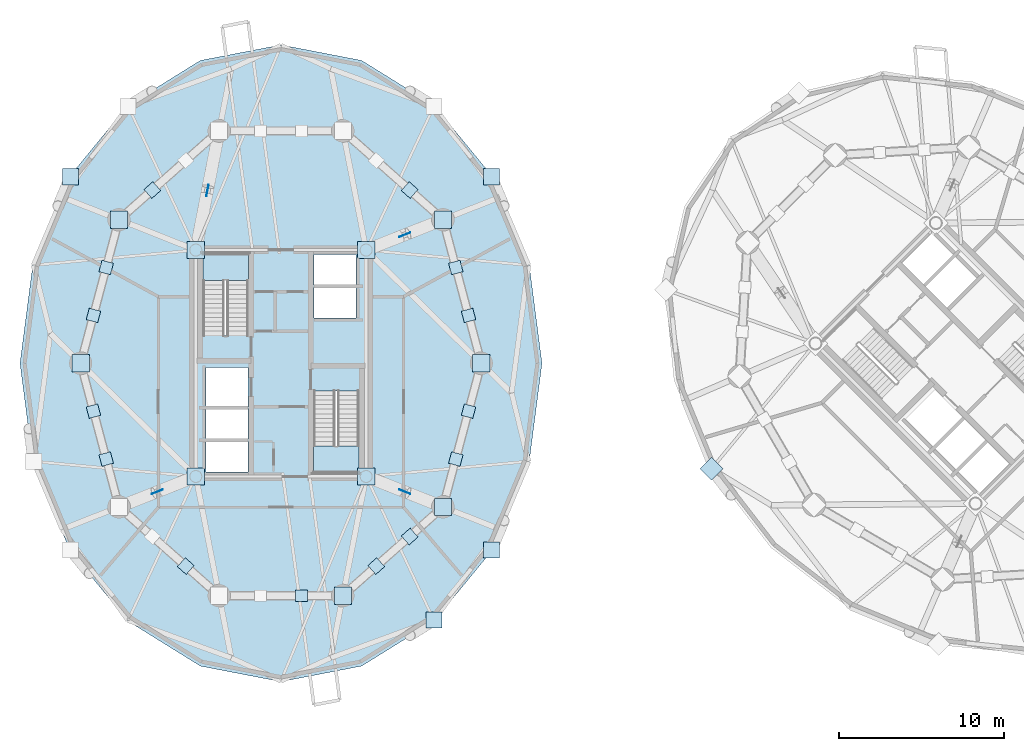
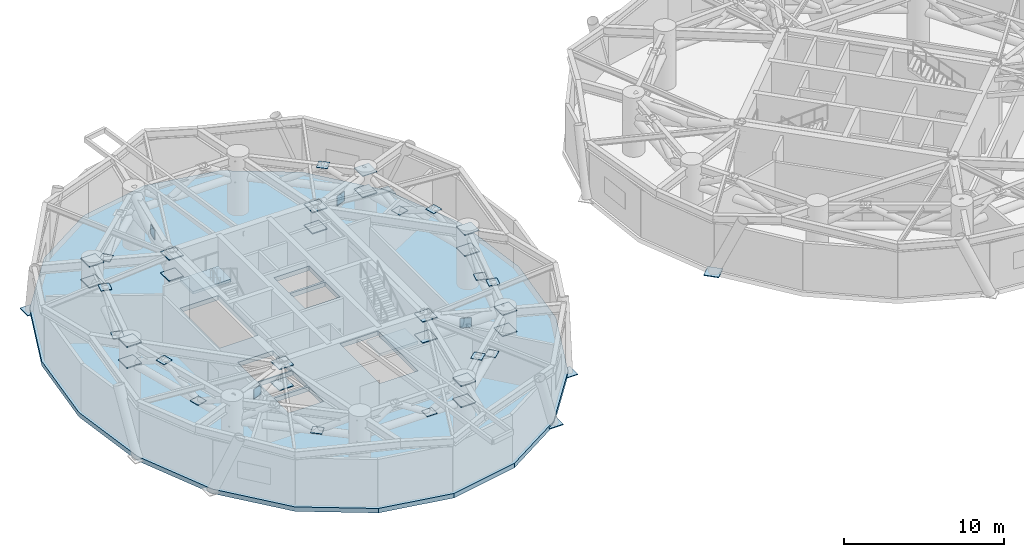
# One storey, part 6 of 16: 43 plates, 3 slabs, 2 elements without a shape of their own.
"""IFC4 building model written with IfcOpenShell, lengths in metres."""

from ifc_helpers import new_model, si_unit, direction, frame, origin, origin_2d, place, context, subcontext, project, spatial, polyline, rectangle, outline, extrude, source, transform, mapped, material, layer, layer_set, type_object, element, aggregate, save


model = new_model("IFC4")

# Units and contexts
model_context = context("Model", 3, precision=1e-05, world=origin(), true_north=direction((0.0, 1.0)))
body_context = subcontext(model_context, "Body", "Model", "MODEL_VIEW")
ifc_project = project(units=[si_unit("LENGTHUNIT", "METRE"), si_unit("AREAUNIT", "SQUARE_METRE"), si_unit("VOLUMEUNIT", "CUBIC_METRE"), si_unit("PLANEANGLEUNIT", "RADIAN"), si_unit("MASSUNIT", "GRAM", prefix="KILO")], contexts=[model_context])

# Site, building, storey
site_placement = place(None, origin())
site = spatial("IfcSite", under=ifc_project, at=site_placement, CompositionType="ELEMENT")
building_placement = place(site_placement, origin())
building = spatial("IfcBuilding", under=site, at=building_placement, Name="Cununo Teusaquillo Station Towers", CompositionType="ELEMENT")
storey_placement = place(building_placement, frame((0.0, 0.0, 65.64990234375)))
storey = spatial("IfcBuildingStorey", under=building, at=storey_placement, Name="L20", CompositionType="ELEMENT", Elevation=65.64990234375)

# Slab
ifc_material_1 = material(Name="Concrete C50/60", Category="concrete")
ifc_layer_1 = layer(ifc_material_1, 0.340087890625)
ifc_layer_set_1 = layer_set([ifc_layer_1], Name="Concrete C50/60")
slab_type_1 = type_object("IfcSlabType", Name="SLB-B01-340", PredefinedType="FLOOR", material=ifc_layer_set_1)
slab_1_placement = place(storey_placement, frame((0.0, 0.0, -0.33984375)))
element("IfcSlab", 1, at=slab_1_placement, inside=storey, type_object=slab_type_1, Name="L20 Tower A Floor Slab", PredefinedType="FLOOR", context=body_context, shape_type="SweptSolid", body=[
    extrude(outline(polyline([(32.361083984375, 24.5), (31.584716796875, 30.4794921875), (29.331787109375, 35.87353515625), (25.822998046875, 40.154541015625), (21.4013671875, 42.90283203125), (16.5, 43.85009765625), (11.5986328125, 42.90283203125), (7.177001953125, 40.154541015625), (3.668212890625, 35.87353515625), (1.415283203125, 30.4794921875), (0.638916015625, 24.5), (1.415283203125, 18.5205078125), (3.668212890625, 13.12646484375), (7.177001953125, 8.845458984375), (11.5986328125, 6.09716796875), (16.5, 5.14990234375), (21.4013671875, 6.09716796875), (25.822998046875, 8.845458984375), (29.331787109375, 13.12646484375), (31.584716796875, 18.5205078125), (32.361083984375, 24.5)]), holes=[polyline([(14.52001953125, 26.176025390625), (14.52001953125, 31.159912109375), (11.760009765625, 31.159912109375), (11.760009765625, 26.176025390625), (14.52001953125, 26.176025390625)]), polyline([(18.47998046875, 22.823974609375), (18.47998046875, 17.840087890625), (21.239990234375, 17.840087890625), (21.239990234375, 22.823974609375), (18.47998046875, 22.823974609375)]), polyline([(11.949951171875, 21.85009765625), (14.47998046875, 21.85009765625), (14.47998046875, 24.25), (11.949951171875, 24.25), (11.949951171875, 21.85009765625)]), polyline([(11.949951171875, 17.89990234375), (14.47998046875, 17.89990234375), (14.47998046875, 19.75), (11.949951171875, 19.75), (11.949951171875, 17.89990234375)]), polyline([(11.949951171875, 19.89990234375), (14.47998046875, 19.89990234375), (14.47998046875, 21.75), (11.949951171875, 21.75), (11.949951171875, 19.89990234375)]), polyline([(18.52001953125, 27.25), (21.050048828125, 27.25), (21.050048828125, 29.10009765625), (18.52001953125, 29.10009765625), (18.52001953125, 27.25)]), polyline([(18.52001953125, 29.25), (21.050048828125, 29.25), (21.050048828125, 31.10009765625), (18.52001953125, 31.10009765625), (18.52001953125, 29.25)])]), origin(), (0.0, 0.0, 1.0), 0.33984375),
])

# Stair, slab
ifc_material_2 = material(Name="Concrete C50/60", Category="concrete")
stair_type = type_object("IfcStairType", Name="ST-TWR-1300", PredefinedType="HALF_TURN_STAIR", material=ifc_material_2)
stair_1_placement = place(storey_placement, origin())
stair_1 = element("IfcStair", 2, at=stair_1_placement, inside=storey, type_object=stair_type, Name="L20 Tower A Protected Core Exit Stair 1", PredefinedType="HALF_TURN_STAIR")
ifc_material_3 = material(Name="Concrete C50/60", Category="concrete")
ifc_layer_2 = layer(ifc_material_3, 0.199951171875)
ifc_layer_set_2 = layer_set([ifc_layer_2], Name="Concrete C50/60")
slab_type_2 = type_object("IfcSlabType", Name="SLB-STAIR-LND", PredefinedType="LANDING", material=ifc_layer_set_2)
slab_2_placement = place(storey_placement, frame((0.0, 0.0, 2.050048828125)))
slab_2 = element("IfcSlab", 3, at=slab_2_placement, type_object=slab_type_2, Name="ST-T1-1 landing 1", PredefinedType="LANDING", context=body_context, shape_type="SweptSolid", body=[
    extrude(outline(polyline([(14.52001953125, 29.530029296875), (14.52001953125, 31.159912109375), (11.760009765625, 31.159912109375), (11.760009765625, 29.530029296875), (14.52001953125, 29.530029296875)])), origin(), (0.0, 0.0, 1.0), 0.199951171875),
])
aggregate(stair_1, [slab_2])

stair_2_placement = place(storey_placement, origin())
stair_2 = element("IfcStair", 4, at=stair_2_placement, inside=storey, type_object=stair_type, Name="L20 Tower A Protected Core Exit Stair 2", PredefinedType="HALF_TURN_STAIR")
slab_3_placement = place(storey_placement, frame((0.0, 0.0, 2.050048828125)))
slab_3 = element("IfcSlab", 5, at=slab_3_placement, type_object=slab_type_2, Name="ST-T1-2 landing 1", PredefinedType="LANDING", context=body_context, shape_type="SweptSolid", body=[
    extrude(outline(polyline([(18.47998046875, 19.469970703125), (18.47998046875, 17.840087890625), (21.239990234375, 17.840087890625), (21.239990234375, 19.469970703125), (18.47998046875, 19.469970703125)])), origin(), (0.0, 0.0, 1.0), 0.199951171875),
])
aggregate(stair_2, [slab_3])

# Plates
ifc_material_4 = material(Name="Steel ASTM A572 Grade 50", Category="steel")
ifc_layer_3 = layer(ifc_material_4, 0.054931640625)
ifc_layer_set_3 = layer_set([ifc_layer_3], Name="Steel ASTM A572 Grade 50")
plate_type_1 = type_object("IfcPlateType", Name="PLT-NODE-KDN1", PredefinedType="USERDEFINED", material=ifc_layer_set_3)
shared_shape_1 = source(origin(), body_context, "Body", "SweptSolid", [
    extrude(rectangle(XDim=0.97998046875, YDim=0.97998046875, at=origin_2d()), origin(), (0.0, 0.0, 1.0), 0.054931640625),
])
for number, where, z_axis, x_axis, name in (
    (6, (29.283203125, 35.83837890625, -0.16748046875), (0.0, 0.0, 1.0), (1.0, 0.0, 0.0), "L20 Tower A Diagrid Node Assembly C01"),
    (7, (3.716796875, 35.83837890625, -0.16748046875), (0.0, 0.0, 1.0), (1.0, 0.0, 0.0), "L20 Tower A Diagrid Node Assembly C08"),
    (8, (25.78759765625, 8.89404296875, -0.16748046875), (0.0, 0.0, 1.0), (1.0, 0.0, 0.0), "L20 Tower A Diagrid Node Assembly C16"),
    (9, (29.283203125, 13.16162109375, -0.16748046875), (0.0, 0.0, 1.0), (1.0, 0.0, 0.0), "L20 Tower A Diagrid Node Assembly C18"),
    (10, (42.658935546875, 18.0888671875, -0.16748046875), (0.0, 0.0, 1.0), (0.707106781187, 0.707106781187, 0.0), "L20 Tower B Diagrid Node Assembly C09"),
):
    element("IfcPlate", number, at=place(storey_placement, frame(where, z_axis=z_axis, x_axis=x_axis)), inside=storey, type_object=plate_type_1, Name=name, ObjectType="GUSSET PLATE", PredefinedType="USERDEFINED", context=body_context, shape_type="MappedRepresentation", body=[
        mapped(shared_shape_1, transform((0.0, 0.0, 0.0), x_axis=(1.0, 0.0, 0.0), y_axis=(0.0, 1.0, 0.0), z_axis=(0.0, 0.0, 1.0), scale=1.0)),
    ])
ifc_material_5 = material(Name="Steel ASTM A572 Grade 50", Category="steel")
ifc_layer_4 = layer(ifc_material_5, 0.030029296875)
ifc_layer_set_4 = layer_set([ifc_layer_4], Name="Steel ASTM A572 Grade 50")
plate_type_2 = type_object("IfcPlateType", Name="PLT-NODE-XBR", PredefinedType="USERDEFINED", material=ifc_layer_set_4)
shared_shape_2 = source(origin(), body_context, "Body", "SweptSolid", [
    extrude(rectangle(XDim=0.719970703125, YDim=0.030029296875, at=origin_2d()), origin(), (0.0, 0.0, 1.0), 0.719970703125),
])
for number, where, z_axis, x_axis, name in (
    (11, (12.03173828125, 35.001708984375, 3.02001953125), (0.0, 0.0, 1.0), (0.191494253877, 0.981493734433, 0.0), "L20 Tower A Outrigger X-Crossing Gusset XBP1 1"),
    (12, (24.01123046875, 32.30419921875, 3.02001953125), (0.0, 0.0, 1.0), (0.929840721582, 0.367962270469, 0.0), "L20 Tower A Outrigger X-Crossing Gusset XBP1 2"),
    (13, (8.98876953125, 16.69580078125, 3.02001953125), (0.0, 0.0, 1.0), (-0.929840721582, -0.367962270469, 0.0), "L20 Tower A Outrigger X-Crossing Gusset XBP1 3"),
    (14, (24.01123046875, 16.69580078125, 3.02001953125), (0.0, 0.0, 1.0), (0.929840721582, -0.367962270469, 0.0), "L20 Tower A Outrigger X-Crossing Gusset XBP1 4"),
):
    element("IfcPlate", number, at=place(storey_placement, frame(where, z_axis=z_axis, x_axis=x_axis)), inside=storey, type_object=plate_type_2, Name=name, ObjectType="GUSSET PLATE", PredefinedType="USERDEFINED", context=body_context, shape_type="MappedRepresentation", body=[
        mapped(shared_shape_2, transform((0.0, 0.0, 0.0), x_axis=(1.0, 0.0, 0.0), y_axis=(0.0, 1.0, 0.0), z_axis=(0.0, 0.0, 1.0), scale=1.0)),
    ])
ifc_material_6 = material(Name="Steel ASTM A572 Grade 50", Category="steel")
ifc_layer_5 = layer(ifc_material_6, 0.054931640625)
ifc_layer_set_5 = layer_set([ifc_layer_5], Name="Steel ASTM A572 Grade 50")
plate_type_3 = type_object("IfcPlateType", Name="PLT-NODE-OTN1", PredefinedType="USERDEFINED", material=ifc_layer_set_5)
shared_shape_3 = source(origin(), body_context, "Body", "SweptSolid", [
    extrude(rectangle(XDim=1.050048828125, YDim=1.050048828125, at=origin_2d()), origin(), (0.0, 0.0, 1.0), 0.054931640625),
])
for number, where, z_axis, x_axis, name in (
    (15, (11.324951171875, 31.3798828125, 2.552734375), (0.0, 0.0, 1.0), (1.0, 0.0, 0.0), "L20 Tower A Outrigger Core Gusset OTN1 1.CB"),
    (16, (11.324951171875, 31.3798828125, 4.15283203125), (0.0, 0.0, 1.0), (1.0, 0.0, 0.0), "L20 Tower A Outrigger Core Gusset OTN1 1.CT"),
    (17, (21.675048828125, 31.3798828125, 2.552734375), (0.0, 0.0, 1.0), (1.0, 0.0, 0.0), "L20 Tower A Outrigger Core Gusset OTN1 2.CB"),
    (18, (21.675048828125, 31.3798828125, 4.15283203125), (0.0, 0.0, 1.0), (1.0, 0.0, 0.0), "L20 Tower A Outrigger Core Gusset OTN1 2.CT"),
    (19, (11.324951171875, 17.6201171875, 2.552734375), (0.0, 0.0, 1.0), (1.0, 0.0, 0.0), "L20 Tower A Outrigger Core Gusset OTN1 3.CB"),
    (20, (11.324951171875, 17.6201171875, 4.15283203125), (0.0, 0.0, 1.0), (1.0, 0.0, 0.0), "L20 Tower A Outrigger Core Gusset OTN1 3.CT"),
    (21, (21.675048828125, 17.6201171875, 2.552734375), (0.0, 0.0, 1.0), (1.0, 0.0, 0.0), "L20 Tower A Outrigger Core Gusset OTN1 4.CB"),
    (22, (21.675048828125, 17.6201171875, 4.15283203125), (0.0, 0.0, 1.0), (1.0, 0.0, 0.0), "L20 Tower A Outrigger Core Gusset OTN1 4.CT"),
    (23, (28.672119140625, 24.5, 2.552734375), (0.0, 0.0, 1.0), (1.0, 0.0, 0.0), "L20 Tower A Belt Truss Column Gusset 01B"),
    (24, (28.672119140625, 24.5, 4.15283203125), (0.0, 0.0, 1.0), (1.0, 0.0, 0.0), "L20 Tower A Belt Truss Column Gusset 01T"),
    (25, (26.347412109375, 33.228515625, 2.552734375), (0.0, 0.0, 1.0), (1.0, 0.0, 0.0), "L20 Tower A Belt Truss Column Gusset 02B"),
    (26, (26.347412109375, 33.228515625, 4.15283203125), (0.0, 0.0, 1.0), (1.0, 0.0, 0.0), "L20 Tower A Belt Truss Column Gusset 02T"),
    (27, (6.652587890625, 33.228515625, 2.552734375), (0.0, 0.0, 1.0), (1.0, 0.0, 0.0), "L20 Tower A Belt Truss Column Gusset 05B"),
    (28, (6.652587890625, 33.228515625, 4.15283203125), (0.0, 0.0, 1.0), (1.0, 0.0, 0.0), "L20 Tower A Belt Truss Column Gusset 05T"),
    (29, (4.327880859375, 24.5, 2.552734375), (0.0, 0.0, 1.0), (1.0, 0.0, 0.0), "L20 Tower A Belt Truss Column Gusset 06B"),
    (30, (4.327880859375, 24.5, 4.15283203125), (0.0, 0.0, 1.0), (1.0, 0.0, 0.0), "L20 Tower A Belt Truss Column Gusset 06T"),
    (31, (20.261474609375, 10.376708984375, 2.552734375), (0.0, 0.0, 1.0), (1.0, 0.0, 0.0), "L20 Tower A Belt Truss Column Gusset 09B"),
    (32, (20.261474609375, 10.376708984375, 4.15283203125), (0.0, 0.0, 1.0), (1.0, 0.0, 0.0), "L20 Tower A Belt Truss Column Gusset 09T"),
    (33, (26.347412109375, 15.771484375, 2.552734375), (0.0, 0.0, 1.0), (1.0, 0.0, 0.0), "L20 Tower A Belt Truss Column Gusset 10B"),
    (34, (26.347412109375, 15.771484375, 4.15283203125), (0.0, 0.0, 1.0), (1.0, 0.0, 0.0), "L20 Tower A Belt Truss Column Gusset 10T"),
):
    element("IfcPlate", number, at=place(storey_placement, frame(where, z_axis=z_axis, x_axis=x_axis)), inside=storey, type_object=plate_type_3, Name=name, ObjectType="GUSSET PLATE", PredefinedType="USERDEFINED", context=body_context, shape_type="MappedRepresentation", body=[
        mapped(shared_shape_3, transform((0.0, 0.0, 0.0), x_axis=(1.0, 0.0, 0.0), y_axis=(0.0, 1.0, 0.0), z_axis=(0.0, 0.0, 1.0), scale=1.0)),
    ])
shared_shape_4 = source(origin(), body_context, "Body", "SweptSolid", [
    extrude(rectangle(XDim=0.719970703125, YDim=0.719970703125, at=origin_2d()), origin(), (0.0, 0.0, 1.0), 0.030029296875),
])
for number, where, z_axis, x_axis, name in (
    (35, (27.897216796875, 27.409423828125, 4.1650390625), (0.0, 0.0, 1.0), (-0.257301453681, 0.966331186464, 0.0), "L20 Tower A Belt Web Node Gusset XBP1 01T1"),
    (36, (27.122314453125, 30.319091796875, 2.56494140625), (0.0, 0.0, 1.0), (-0.257301453681, 0.966331186464, 0.0), "L20 Tower A Belt Web Node Gusset XBP1 01B2"),
    (37, (24.318603515625, 35.02685546875, 4.1650390625), (0.0, 0.0, 1.0), (-0.748377190605, 0.66327338299, 0.0), "L20 Tower A Belt Web Node Gusset XBP1 02T1"),
    (38, (8.681396484375, 35.02685546875, 2.56494140625), (0.0, 0.0, 1.0), (-0.748377190605, -0.66327338299, 0.0), "L20 Tower A Belt Web Node Gusset XBP1 04B2"),
    (39, (5.877685546875, 30.319091796875, 4.1650390625), (0.0, 0.0, 1.0), (-0.257301453681, -0.966331186464, 0.0), "L20 Tower A Belt Web Node Gusset XBP1 05T1"),
    (40, (5.102783203125, 27.409423828125, 2.56494140625), (0.0, 0.0, 1.0), (-0.257301453681, -0.966331186464, 0.0), "L20 Tower A Belt Web Node Gusset XBP1 05B2"),
    (41, (5.102783203125, 21.590576171875, 4.1650390625), (0.0, 0.0, 1.0), (0.257301453681, -0.966331186464, 0.0), "L20 Tower A Belt Web Node Gusset XBP1 06T1"),
    (42, (5.877685546875, 18.680908203125, 2.56494140625), (0.0, 0.0, 1.0), (0.257301453681, -0.966331186464, 0.0), "L20 Tower A Belt Web Node Gusset XBP1 06B2"),
    (43, (10.7099609375, 12.175048828125, 2.56494140625), (0.0, 0.0, 1.0), (0.748377190605, -0.66327338299, 0.0), "L20 Tower A Belt Web Node Gusset XBP1 07B2"),
    (44, (17.75390625, 10.376708984375, 2.56494140625), (0.0, 0.0, 1.0), (1.0, 0.0, 0.0), "L20 Tower A Belt Web Node Gusset XBP1 08B2"),
    (45, (22.2900390625, 12.175048828125, 4.1650390625), (0.0, 0.0, 1.0), (0.748377190605, 0.66327338299, 0.0), "L20 Tower A Belt Web Node Gusset XBP1 09T1"),
    (46, (24.318603515625, 13.97314453125, 2.56494140625), (0.0, 0.0, 1.0), (0.748377190605, 0.66327338299, 0.0), "L20 Tower A Belt Web Node Gusset XBP1 09B2"),
    (47, (27.122314453125, 18.680908203125, 4.1650390625), (0.0, 0.0, 1.0), (0.257301453681, 0.966331186464, 0.0), "L20 Tower A Belt Web Node Gusset XBP1 10T1"),
    (48, (27.897216796875, 21.590576171875, 2.56494140625), (0.0, 0.0, 1.0), (0.257301453681, 0.966331186464, 0.0), "L20 Tower A Belt Web Node Gusset XBP1 10B2"),
):
    element("IfcPlate", number, at=place(storey_placement, frame(where, z_axis=z_axis, x_axis=x_axis)), inside=storey, type_object=plate_type_2, Name=name, ObjectType="GUSSET PLATE", PredefinedType="USERDEFINED", context=body_context, shape_type="MappedRepresentation", body=[
        mapped(shared_shape_4, transform((0.0, 0.0, 0.0), x_axis=(1.0, 0.0, 0.0), y_axis=(0.0, 1.0, 0.0), z_axis=(0.0, 0.0, 1.0), scale=1.0)),
    ])

save(model, "model.ifc")
